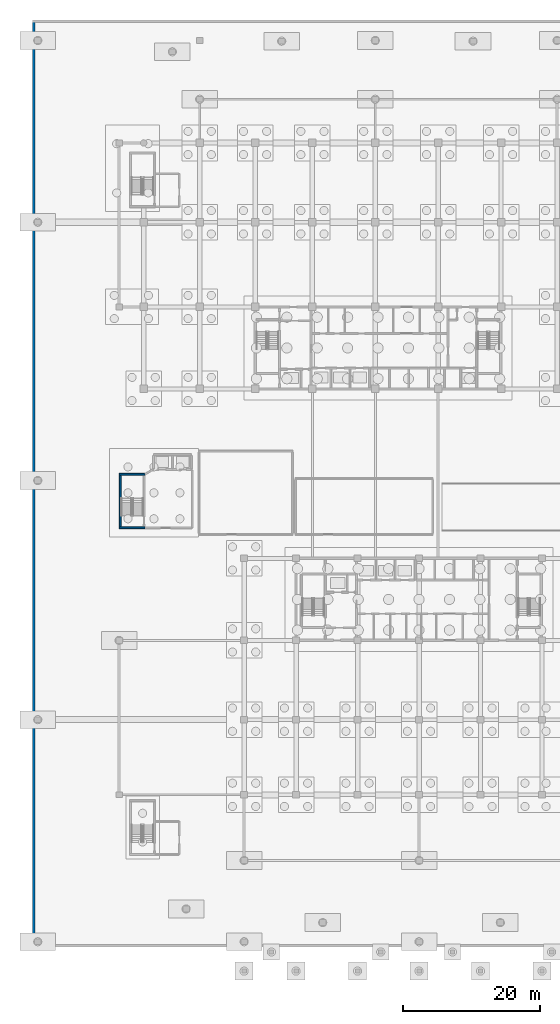
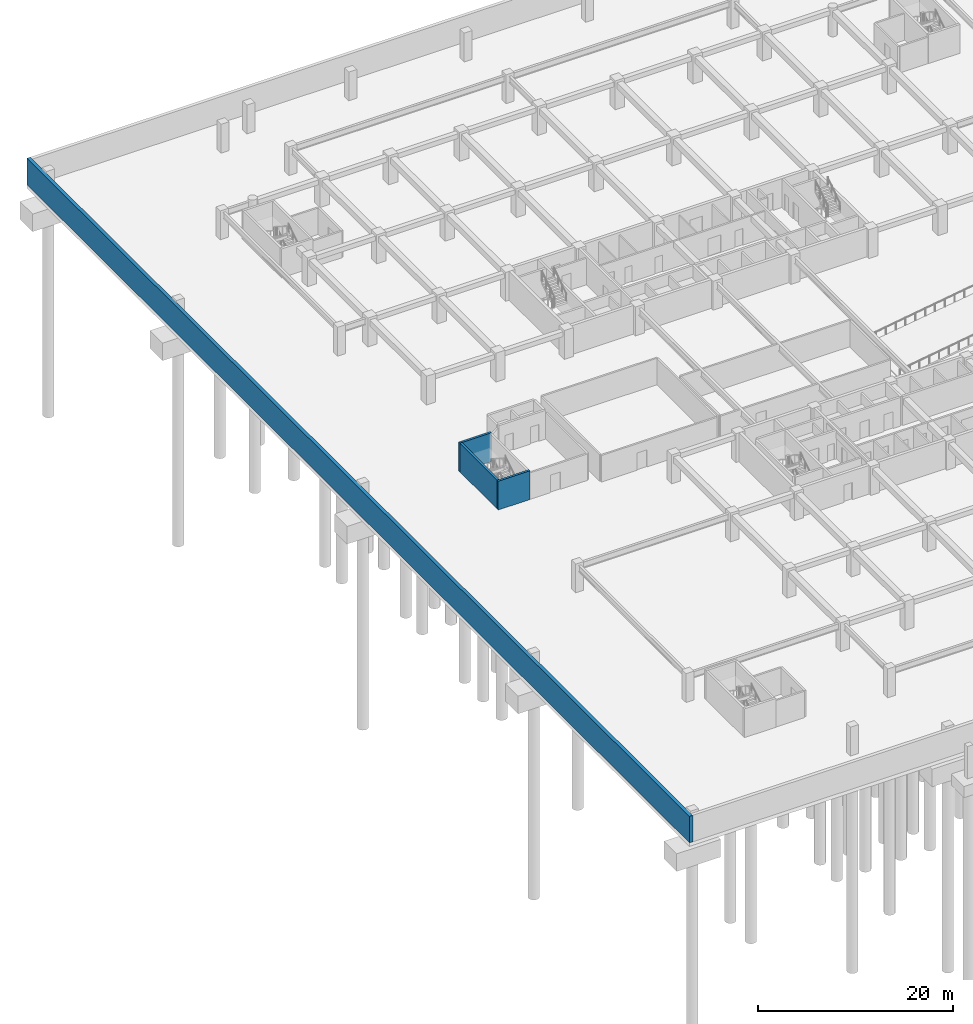
# One storey, part 12 of 26: 4 walls.
"""IFC4 building model written with IfcOpenShell, lengths in metres."""

from ifc_helpers import new_model, si_unit, direction, frame, frame_2d, origin, place, context, subcontext, project, spatial, rectangle, extrude, material, layer, layer_set, type_object, element, save


model = new_model("IFC4")

# Units and contexts
model_context = context("Model", 3, precision=1e-05, world=origin(), true_north=direction((0.0, 1.0)))
body_context = subcontext(model_context, "Body", "Model", "MODEL_VIEW")
ifc_project = project(units=[si_unit("LENGTHUNIT", "METRE"), si_unit("AREAUNIT", "SQUARE_METRE"), si_unit("VOLUMEUNIT", "CUBIC_METRE"), si_unit("PLANEANGLEUNIT", "RADIAN"), si_unit("MASSUNIT", "GRAM", prefix="KILO")], contexts=[model_context])

# Site, building, storey
site_placement = place(None, origin())
site = spatial("IfcSite", under=ifc_project, at=site_placement, CompositionType="ELEMENT")
building_placement = place(site_placement, origin())
building = spatial("IfcBuilding", under=site, at=building_placement, Name="Korimba Cascade Residences", CompositionType="ELEMENT")
storey_placement = place(building_placement, frame((0.0, 0.0, -10.800048828125)))
storey = spatial("IfcBuildingStorey", under=building, at=storey_placement, Name="B03", CompositionType="ELEMENT", Elevation=-10.800048828125)

# Walls
ifc_material = material(Name="Concrete C50/60", Category="concrete")
ifc_layer_1 = layer(ifc_material, 0.39990234375)
ifc_layer_set_1 = layer_set([ifc_layer_1], Name="Concrete C50/60")
wall_type_1 = type_object("IfcWallType", Name="EW-RET-400", PredefinedType="USERDEFINED", material=ifc_layer_set_1)
wall_1_placement = place(storey_placement, frame((43.699951171875, 109.199951171875, 0.0), z_axis=(0.0, 0.0, 1.0), x_axis=(0.0, -1.0, 0.0)))
element("IfcWall", 1, at=wall_1_placement, inside=storey, type_object=wall_type_1, Name="B03 Basement Retaining Wall W", ObjectType="RETAININGWALL", PredefinedType="USERDEFINED", context=body_context, shape_type="SweptSolid", body=[
    extrude(rectangle(XDim=135.699951171875, YDim=0.39990234375, at=frame_2d((67.85009765625, 0.0))), origin(), (0.0, 0.0, 1.0), 3.300048828125),
])
ifc_layer_2 = layer(ifc_material, 0.25)
ifc_layer_set_2 = layer_set([ifc_layer_2], Name="Concrete C50/60")
wall_type_2 = type_object("IfcWallType", Name="WAL-SHAFT-250", PredefinedType="SHEAR", material=ifc_layer_set_2)
wall_2_placement = place(storey_placement, frame((56.375, 35.0, 0.0), z_axis=(0.0, 0.0, 1.0), x_axis=(0.0, 1.0, 0.0)))
element("IfcWall", 2, at=wall_2_placement, inside=storey, type_object=wall_type_2, Name="B03 Core Shear Wall CW-B03-STP1W", PredefinedType="SHEAR", context=body_context, shape_type="SweptSolid", body=[
    extrude(rectangle(XDim=7.60009765625, YDim=0.25, at=frame_2d((3.800048828125, 0.0))), origin(), (0.0, 0.0, 1.0), 3.60009765625),
])
for number, where, z_axis, x_axis, name in (
    (3, (56.25, 42.72509765625, 0.0), (0.0, 0.0, 1.0), (1.0, 0.0, 0.0), "B03 Core Shear Wall CW-B03-STP1N"),
    (4, (56.25, 34.875, 0.0), (0.0, 0.0, 1.0), (1.0, 0.0, 0.0), "B03 Core Shear Wall CW-B03-STP1S"),
):
    element("IfcWall", number, at=place(storey_placement, frame(where, z_axis=z_axis, x_axis=x_axis)), inside=storey, type_object=wall_type_2, Name=name, PredefinedType="SHEAR", context=body_context, shape_type="SweptSolid", body=[
        extrude(rectangle(XDim=3.739990234375, YDim=0.25, at=frame_2d((1.8701171875, 0.0))), origin(), (0.0, 0.0, 1.0), 3.60009765625),
    ])

save(model, "model.ifc")
